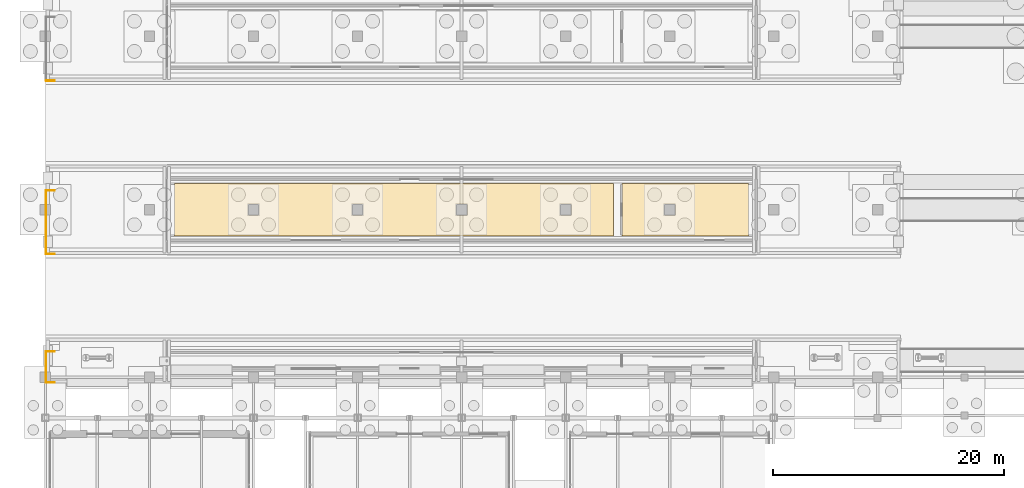
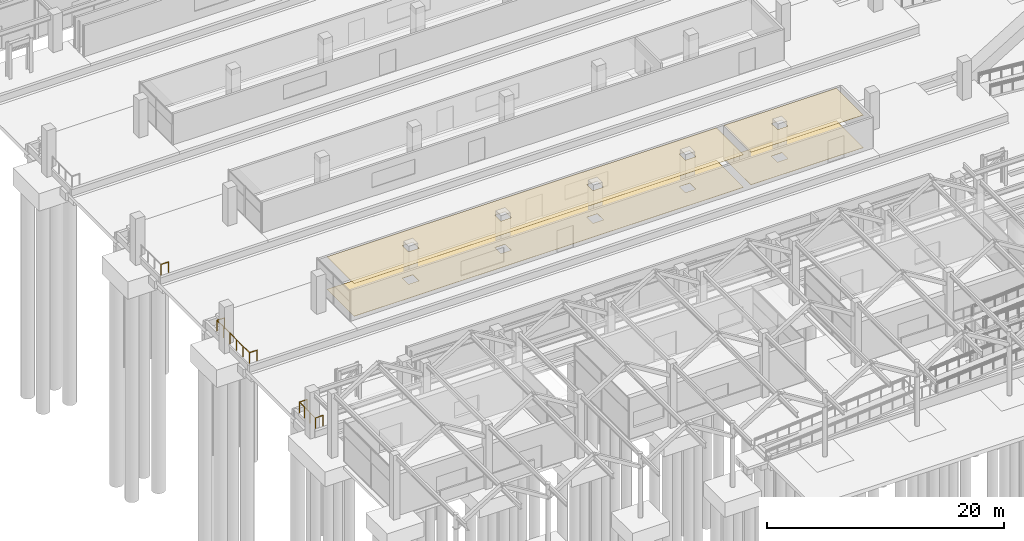
# One storey, part 150 of 160: 5 railings, 4 coverings.
"""IFC4 building model written with IfcOpenShell, lengths in metres."""

from ifc_helpers import new_model, si_unit, direction, frame, origin, origin_2d, place, context, subcontext, project, spatial, polyline, circle, outline, extrude, material, layer, layer_set, type_object, element, save


model = new_model("IFC4")

# Units and contexts
model_context = context("Model", 3, precision=1e-05, world=origin(), true_north=direction((0.0, 1.0)))
body_context = subcontext(model_context, "Body", "Model", "MODEL_VIEW")
ifc_project = project(units=[si_unit("LENGTHUNIT", "METRE"), si_unit("AREAUNIT", "SQUARE_METRE"), si_unit("VOLUMEUNIT", "CUBIC_METRE"), si_unit("PLANEANGLEUNIT", "RADIAN"), si_unit("MASSUNIT", "GRAM", prefix="KILO")], contexts=[model_context])

# Site, building, storey
site_placement = place(None, origin())
site = spatial("IfcSite", under=ifc_project, at=site_placement, CompositionType="ELEMENT")
building_placement = place(site_placement, origin())
building = spatial("IfcBuilding", under=site, at=building_placement, Name="Marlcrest Central Station", CompositionType="ELEMENT")
storey_placement = place(building_placement, origin())
storey = spatial("IfcBuildingStorey", under=building, at=storey_placement, Name="L00", CompositionType="ELEMENT", Elevation=0.0)

# Coverings
ifc_material_1 = material(Name="Perforated acoustic mineral-fibre ceiling")
ifc_layer_1 = layer(ifc_material_1, 0.02490234375, Name="CV-CLG")
ifc_layer_set_1 = layer_set([ifc_layer_1], Name="Perforated acoustic mineral-fibre ceiling")
covering_type_1 = type_object("IfcCoveringType", Name="CV-CLG", PredefinedType="CEILING", material=ifc_layer_set_1)
covering_1_placement = place(storey_placement, frame((0.0, 0.0, 4.27490234375)))
element("IfcCovering", 1, at=covering_1_placement, inside=storey, type_object=covering_type_1, Name="cov-clg-0006", PredefinedType="CEILING", context=body_context, shape_type="SweptSolid", body=[
    extrude(outline(polyline([(49.139892578125, 48.7099609375), (11.159912109375, 48.7099609375), (11.159912109375, 53.2900390625), (49.139892578125, 53.2900390625), (49.139892578125, 48.7099609375)]), holes=[polyline([(18.510009765625, 50.489990234375), (18.510009765625, 51.510009765625), (17.489990234375, 51.510009765625), (17.489990234375, 50.489990234375), (18.510009765625, 50.489990234375)]), polyline([(26.489990234375, 50.489990234375), (27.510009765625, 50.489990234375), (27.510009765625, 51.510009765625), (26.489990234375, 51.510009765625), (26.489990234375, 50.489990234375)]), polyline([(35.489990234375, 51.510009765625), (35.489990234375, 50.489990234375), (36.510009765625, 50.489990234375), (36.510009765625, 51.510009765625), (35.489990234375, 51.510009765625)]), polyline([(45.510009765625, 51.510009765625), (44.489990234375, 51.510009765625), (44.489990234375, 50.489990234375), (45.510009765625, 50.489990234375), (45.510009765625, 51.510009765625)])]), origin(), (0.0, 0.0, 1.0), 0.025146484375),
])
covering_2_placement = place(storey_placement, frame((0.0, 0.0, 4.27490234375)))
element("IfcCovering", 2, at=covering_2_placement, inside=storey, type_object=covering_type_1, Name="cov-clg-0008", PredefinedType="CEILING", context=body_context, shape_type="SweptSolid", body=[
    extrude(outline(polyline([(49.860107421875, 48.7099609375), (49.860107421875, 53.2900390625), (60.840087890625, 53.2900390625), (60.840087890625, 48.7099609375), (49.860107421875, 48.7099609375)]), holes=[polyline([(54.510009765625, 51.510009765625), (53.489990234375, 51.510009765625), (53.489990234375, 50.489990234375), (54.510009765625, 50.489990234375), (54.510009765625, 51.510009765625)])]), origin(), (0.0, 0.0, 1.0), 0.025146484375),
])
ifc_material_2 = material(Name="Polished terrazzo and tactile transit flooring")
ifc_layer_2 = layer(ifc_material_2, 0.030029296875, Name="CV-FLR")
ifc_layer_set_2 = layer_set([ifc_layer_2], Name="Polished terrazzo and tactile transit flooring")
covering_type_2 = type_object("IfcCoveringType", Name="CV-FLR", PredefinedType="FLOORING", material=ifc_layer_set_2)
covering_3_placement = place(storey_placement, frame((0.0, 0.0, 0.9150390625)))
element("IfcCovering", 3, at=covering_3_placement, inside=storey, type_object=covering_type_2, Name="cov-flr-0007", PredefinedType="FLOORING", context=body_context, shape_type="SweptSolid", body=[
    extrude(outline(polyline([(49.139892578125, 48.7099609375), (11.159912109375, 48.7099609375), (11.159912109375, 53.2900390625), (49.139892578125, 53.2900390625), (49.139892578125, 48.7099609375)]), holes=[polyline([(18.510009765625, 50.489990234375), (18.510009765625, 51.510009765625), (17.489990234375, 51.510009765625), (17.489990234375, 50.489990234375), (18.510009765625, 50.489990234375)]), polyline([(26.489990234375, 50.489990234375), (27.510009765625, 50.489990234375), (27.510009765625, 51.510009765625), (26.489990234375, 51.510009765625), (26.489990234375, 50.489990234375)]), polyline([(35.489990234375, 51.510009765625), (35.489990234375, 50.489990234375), (36.510009765625, 50.489990234375), (36.510009765625, 51.510009765625), (35.489990234375, 51.510009765625)]), polyline([(45.510009765625, 51.510009765625), (44.489990234375, 51.510009765625), (44.489990234375, 50.489990234375), (45.510009765625, 50.489990234375), (45.510009765625, 51.510009765625)])]), origin(), (0.0, 0.0, 1.0), 0.030029296875),
])
covering_4_placement = place(storey_placement, frame((0.0, 0.0, 0.9150390625)))
element("IfcCovering", 4, at=covering_4_placement, inside=storey, type_object=covering_type_2, Name="cov-flr-0009", PredefinedType="FLOORING", context=body_context, shape_type="SweptSolid", body=[
    extrude(outline(polyline([(49.860107421875, 48.7099609375), (49.860107421875, 53.2900390625), (60.840087890625, 53.2900390625), (60.840087890625, 48.7099609375), (49.860107421875, 48.7099609375)]), holes=[polyline([(54.510009765625, 51.510009765625), (53.489990234375, 51.510009765625), (53.489990234375, 50.489990234375), (54.510009765625, 50.489990234375), (54.510009765625, 51.510009765625)])]), origin(), (0.0, 0.0, 1.0), 0.030029296875),
])

# Railings
ifc_material_3 = material(Name="Stainless steel and laminated glass concourse balustrade", Category="steel")
railing_type = type_object("IfcRailingType", Name="GR-02", PredefinedType="BALUSTRADE", material=ifc_material_3)
railing_1_placement = place(storey_placement, frame((0.06005859375, 36.06005859375, 0.9150390625)))
element("IfcRailing", 5, at=railing_1_placement, inside=storey, type_object=railing_type, Name="hr-L00-00374", PredefinedType="BALUSTRADE", context=body_context, shape_type="SweptSolid", body=[
    extrude(circle(Radius=0.02392578125, at=origin_2d()), frame((0.0, 0.0, 1.09619140625), z_axis=(0.0, 1.0, 0.0), x_axis=(-1.0, 0.0, 0.0)), (0.0, 0.0, 1.0), 2.68798828125),
    extrude(circle(Radius=0.02392578125, at=origin_2d()), frame((0.0, 2.68798828125, 1.09619140625), z_axis=(1.0, 0.0, 0.0), x_axis=(0.0, 1.0, 0.0)), (0.0, 0.0, 1.0), 0.739990234375),
    extrude(circle(Radius=0.02099609375, at=origin_2d()), origin(), (0.0, 0.0, 1.0), 1.072021484375),
    extrude(circle(Radius=0.02099609375, at=origin_2d()), frame((0.0, 0.89599609375, 0.0)), (0.0, 0.0, 1.0), 1.072021484375),
    extrude(circle(Radius=0.02099609375, at=origin_2d()), frame((0.0, 1.7919921875, 0.0)), (0.0, 0.0, 1.0), 1.072021484375),
    extrude(circle(Radius=0.02099609375, at=origin_2d()), frame((0.0, 2.68798828125, 0.0)), (0.0, 0.0, 1.0), 1.072021484375),
    extrude(circle(Radius=0.02099609375, at=origin_2d()), frame((0.739990234375, 2.68798828125, 0.0)), (0.0, 0.0, 1.0), 1.072021484375),
])
railing_2_placement = place(storey_placement, frame((0.800048828125, 36.06005859375, 0.9150390625)))
element("IfcRailing", 6, at=railing_2_placement, inside=storey, type_object=railing_type, Name="hr-L00-00375", PredefinedType="BALUSTRADE", context=body_context, shape_type="SweptSolid", body=[
    extrude(circle(Radius=0.02392578125, at=origin_2d()), frame((0.0, 0.0, 1.09619140625), z_axis=(-1.0, 0.0, 0.0), x_axis=(0.0, -1.0, 0.0)), (0.0, 0.0, 1.0), 0.739990234375),
    extrude(circle(Radius=0.02099609375, at=origin_2d()), origin(), (0.0, 0.0, 1.0), 1.072021484375),
    extrude(circle(Radius=0.02099609375, at=origin_2d()), frame((-0.739990234375, 0.0, 0.0)), (0.0, 0.0, 1.0), 1.072021484375),
])
railing_3_placement = place(storey_placement, frame((0.06005859375, 47.159912109375, 0.9150390625)))
element("IfcRailing", 7, at=railing_3_placement, inside=storey, type_object=railing_type, Name="hr-L00-00377", PredefinedType="BALUSTRADE", context=body_context, shape_type="SweptSolid", body=[
    extrude(circle(Radius=0.02392578125, at=origin_2d()), frame((0.0, 0.0, 1.09619140625), z_axis=(0.0, 1.0, 0.0), x_axis=(-1.0, 0.0, 0.0)), (0.0, 0.0, 1.0), 5.49609375),
    extrude(circle(Radius=0.02392578125, at=origin_2d()), frame((0.0, 5.49609375, 1.09619140625), z_axis=(1.0, 0.0, 0.0), x_axis=(0.0, 1.0, 0.0)), (0.0, 0.0, 1.0), 0.739990234375),
    extrude(circle(Radius=0.02099609375, at=origin_2d()), origin(), (0.0, 0.0, 1.0), 1.072021484375),
    extrude(circle(Radius=0.02099609375, at=origin_2d()), frame((0.0, 1.09912109375, 0.0)), (0.0, 0.0, 1.0), 1.072021484375),
    extrude(circle(Radius=0.02099609375, at=origin_2d()), frame((0.0, 2.198486328125, 0.0)), (0.0, 0.0, 1.0), 1.072021484375),
    extrude(circle(Radius=0.02099609375, at=origin_2d()), frame((0.0, 3.297607421875, 0.0)), (0.0, 0.0, 1.0), 1.072021484375),
    extrude(circle(Radius=0.02099609375, at=origin_2d()), frame((0.0, 4.39697265625, 0.0)), (0.0, 0.0, 1.0), 1.072021484375),
    extrude(circle(Radius=0.02099609375, at=origin_2d()), frame((0.0, 5.49609375, 0.0)), (0.0, 0.0, 1.0), 1.072021484375),
    extrude(circle(Radius=0.02099609375, at=origin_2d()), frame((0.739990234375, 5.49609375, 0.0)), (0.0, 0.0, 1.0), 1.072021484375),
])
for number, where, name in (
    (8, (0.800048828125, 47.159912109375, 0.9150390625), "hr-L00-00378"),
    (9, (0.800048828125, 62.159912109375, 0.9150390625), "hr-L00-00381"),
):
    element("IfcRailing", number, at=place(storey_placement, frame(where)), inside=storey, type_object=railing_type, Name=name, PredefinedType="BALUSTRADE", context=body_context, shape_type="SweptSolid", body=[
        extrude(circle(Radius=0.02392578125, at=origin_2d()), frame((0.0, 0.0, 1.09619140625), z_axis=(-1.0, 0.0, 0.0), x_axis=(0.0, -1.0, 0.0)), (0.0, 0.0, 1.0), 0.739990234375),
        extrude(circle(Radius=0.02099609375, at=origin_2d()), origin(), (0.0, 0.0, 1.0), 1.072021484375),
        extrude(circle(Radius=0.02099609375, at=origin_2d()), frame((-0.739990234375, 0.0, 0.0)), (0.0, 0.0, 1.0), 1.072021484375),
    ])

save(model, "model.ifc")
